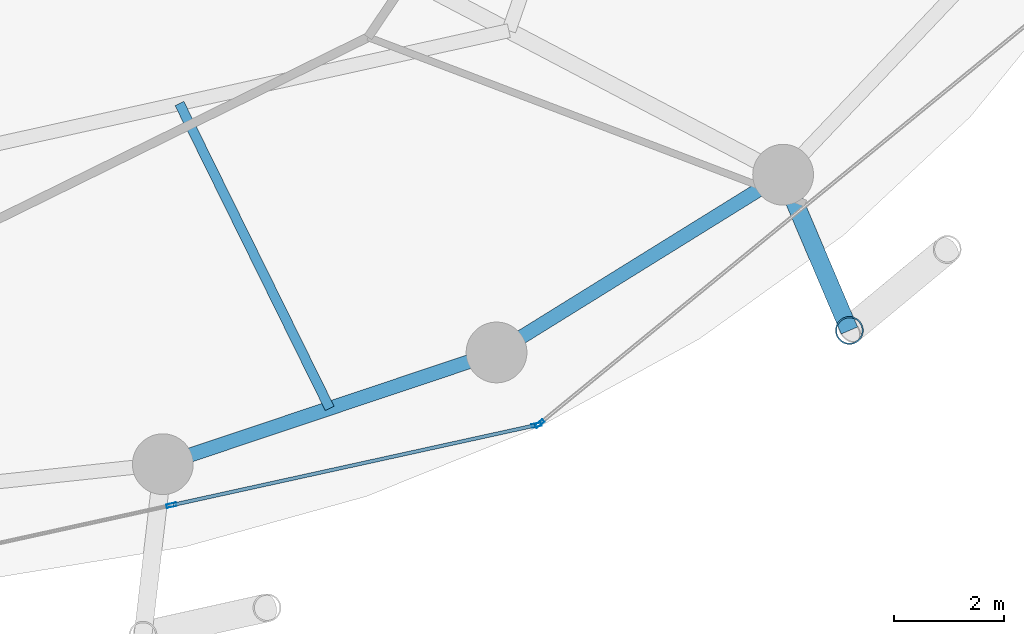
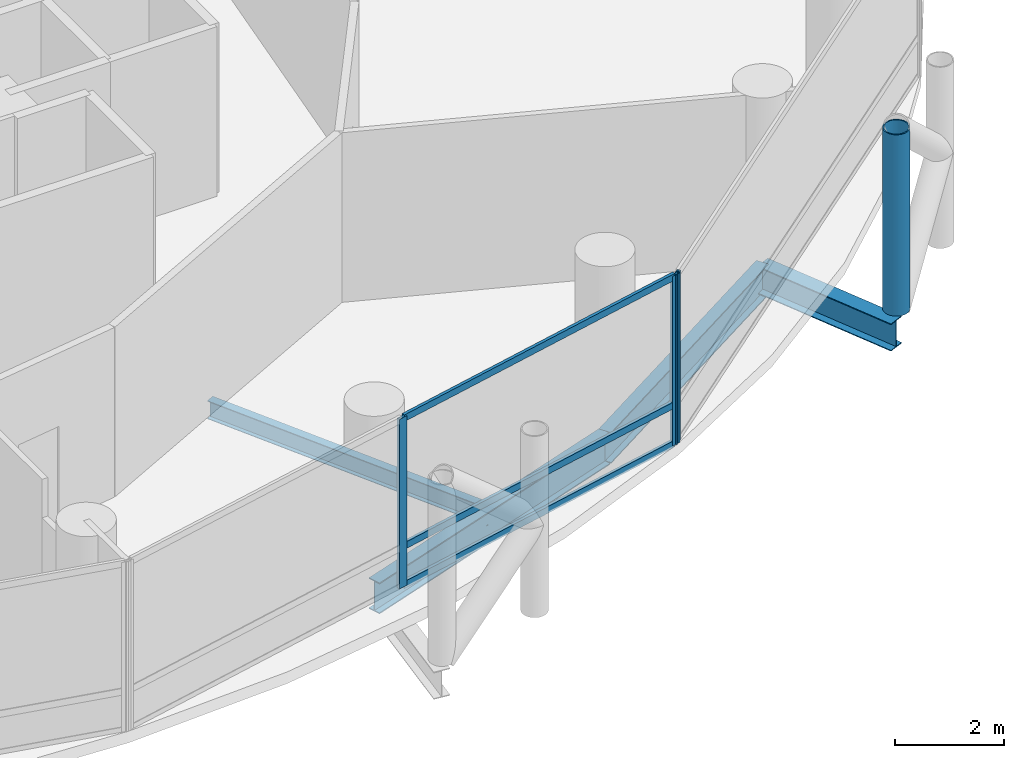
# One storey, part 8 of 25: 7 members, 4 beams, 2 elements without a shape of their own.
"""IFC4 building model written with IfcOpenShell, lengths in metres."""

from ifc_helpers import new_model, si_unit, direction, frame, origin, origin_2d, place, context, subcontext, project, spatial, hollow_rectangle, hollow_circle, i_section, extrude, material, layer, layer_set, material_profile, profile_set, type_object, element, aggregate, save


model = new_model("IFC4")

# Units and contexts
model_context = context("Model", 3, precision=1e-05, world=origin(), true_north=direction((0.0, 1.0)))
body_context = subcontext(model_context, "Body", "Model", "MODEL_VIEW")
ifc_project = project(units=[si_unit("LENGTHUNIT", "METRE"), si_unit("AREAUNIT", "SQUARE_METRE"), si_unit("VOLUMEUNIT", "CUBIC_METRE"), si_unit("PLANEANGLEUNIT", "RADIAN"), si_unit("MASSUNIT", "GRAM", prefix="KILO")], contexts=[model_context])

# Site, building, storey
site_placement = place(None, origin())
site = spatial("IfcSite", under=ifc_project, at=site_placement, CompositionType="ELEMENT")
building_placement = place(site_placement, origin())
building = spatial("IfcBuilding", under=site, at=building_placement, Name="Nuhasar Tower", CompositionType="ELEMENT")
storey_placement = place(building_placement, frame((0.0, 0.0, 45.300048828125)))
storey = spatial("IfcBuildingStorey", under=building, at=storey_placement, Name="L10", CompositionType="ELEMENT", Elevation=45.300048828125)

# Beams
ifc_material_1 = material(Name="Steel S355", Category="steel")
ifc_material_profile_1 = material_profile(ifc_material_1, i_section(OverallWidth=0.177978515625, OverallDepth=0.406005859375, WebThickness=0.0078125, FlangeThickness=0.0126953125, at=origin_2d()), Name="W16X40")
ifc_profile_set_1 = profile_set([ifc_material_profile_1], Name="Steel S355")
beam_type_1 = type_object("IfcBeamType", Name="BM-JST-W16X40", PredefinedType="JOIST", material=ifc_profile_set_1)
beam_1_placement = place(storey_placement, frame((45.783935546875, 13.77001953125, -0.463134765625), z_axis=(0.442126747458, -0.89695258469, 0.0), x_axis=(0.89695258469, 0.442126747458, 0.0)))
element("IfcBeam", 1, at=beam_1_placement, inside=storey, type_object=beam_type_1, Name="L10 Secondary Floor Joist 02", PredefinedType="JOIST", context=body_context, shape_type="SweptSolid", body=[
    extrude(i_section(OverallWidth=0.177978515625, OverallDepth=0.406005859375, WebThickness=0.0078125, FlangeThickness=0.0126953125, at=origin_2d()), origin(), (0.0, 0.0, 1.0), 6.152099609375),
])
ifc_material_profile_2 = material_profile(ifc_material_1, i_section(OverallWidth=0.256103515625, OverallDepth=0.693115234375, WebThickness=0.014404296875, FlangeThickness=0.023681640625, at=origin_2d()), Name="W27X114")
ifc_profile_set_2 = profile_set([ifc_material_profile_2], Name="Steel S355")
beam_type_2 = type_object("IfcBeamType", Name="BM-RING-W27X114", PredefinedType="SPANDREL", material=ifc_profile_set_2)
beam_2_placement = place(storey_placement, frame((45.48291015625, 7.239990234375, -0.60595703125), z_axis=(0.94826097201, 0.317491935271, 0.0), x_axis=(-0.317491935271, 0.94826097201, 0.0)))
element("IfcBeam", 2, at=beam_2_placement, inside=storey, type_object=beam_type_2, Name="L10 Perimeter Ring Spandrel 20", PredefinedType="SPANDREL", context=body_context, shape_type="SweptSolid", body=[
    extrude(i_section(OverallWidth=0.256103515625, OverallDepth=0.693115234375, WebThickness=0.014404296875, FlangeThickness=0.023681640625, at=origin_2d()), origin(), (0.0, 0.0, 1.0), 6.37158203125),
])
beam_3_placement = place(storey_placement, frame((51.52490234375, 9.262939453125, -0.60595703125), z_axis=(0.849795216549, 0.527112976439, 0.0), x_axis=(-0.527112976439, 0.849795216549, 0.0)))
element("IfcBeam", 3, at=beam_3_placement, inside=storey, type_object=beam_type_2, Name="L10 Perimeter Ring Spandrel 21", PredefinedType="SPANDREL", context=body_context, shape_type="SweptSolid", body=[
    extrude(i_section(OverallWidth=0.256103515625, OverallDepth=0.693115234375, WebThickness=0.014404296875, FlangeThickness=0.023681640625, at=origin_2d()), origin(), (0.0, 0.0, 1.0), 6.10498046875),
])
ifc_material_profile_3 = material_profile(ifc_material_1, i_section(OverallWidth=0.323974609375, OverallDepth=0.611083984375, WebThickness=0.0126953125, FlangeThickness=0.01904296875, at=origin_2d()), Name="W24X104")
ifc_profile_set_3 = profile_set([ifc_material_profile_3], Name="Steel S355")
beam_type_3 = type_object("IfcBeamType", Name="BM-TIE-W24X104", PredefinedType="BEAM", material=ifc_profile_set_3)
beam_4_placement = place(storey_placement, frame((56.712890625, 12.48095703125, -0.566162109375), z_axis=(0.391601084021, -0.920135093882, 0.0), x_axis=(0.920135093882, 0.391601084021, 0.0)))
element("IfcBeam", 4, at=beam_4_placement, inside=storey, type_object=beam_type_3, Name="L10 Exoskeleton Node Tie Beam 11", PredefinedType="BEAM", context=body_context, shape_type="SweptSolid", body=[
    extrude(i_section(OverallWidth=0.323974609375, OverallDepth=0.611083984375, WebThickness=0.0126953125, FlangeThickness=0.01904296875, at=origin_2d()), origin(), (0.0, 0.0, 1.0), 3.06494140625),
])

# Curtain wall, members
ifc_material_2 = material(Name="Aluminium 6063-T6", Category="aluminium")
ifc_layer = layer(ifc_material_2, 0.199951171875)
ifc_layer_set = layer_set([ifc_layer], Name="Aluminium 6063-T6")
curtain_wall_type = type_object("IfcCurtainWallType", Name="CW-Z1-OFF", PredefinedType="NOTDEFINED", material=ifc_layer_set)
curtain_wall_1_placement = place(storey_placement, origin())
curtain_wall_1 = element("IfcCurtainWall", 5, at=curtain_wall_1_placement, inside=storey, type_object=curtain_wall_type, Name="L10 Unitised Curtain Wall 10", PredefinedType="NOTDEFINED")
ifc_material_profile_4 = material_profile(ifc_material_2, hollow_rectangle(XDim=0.06494140625, YDim=0.179931640625, WallThickness=0.0048828125, at=origin_2d()), Name="CWM-2")
ifc_profile_set_4 = profile_set([ifc_material_profile_4], Name="Aluminium 6063-T6")
member_type_1 = type_object("IfcMemberType", Name="CW-MUL-S2", PredefinedType="MULLION", material=ifc_profile_set_4)
member_1_placement = place(storey_placement, frame((45.639892578125, 6.49755859375, 0.0), z_axis=(0.0, 0.0, 1.0), x_axis=(-0.214398737637, 0.976746221544, 0.0)))
member_1 = element("IfcMember", 6, at=member_1_placement, type_object=member_type_1, Name="CW-Z1 mullion 2", PredefinedType="MULLION", context=body_context, shape_type="SweptSolid", body=[
    extrude(hollow_rectangle(XDim=0.06494140625, YDim=0.179931640625, WallThickness=0.0048828125, at=origin_2d()), origin(), (0.0, 0.0, 1.0), 3.7900390625),
])
member_2_placement = place(storey_placement, frame((52.248291015625, 7.947998046875, 0.0), z_axis=(0.0, 0.0, 1.0), x_axis=(-0.214398737637, 0.976746221544, 0.0)))
member_2 = element("IfcMember", 7, at=member_2_placement, type_object=member_type_1, Name="CW-Z1 mullion 3", PredefinedType="MULLION", context=body_context, shape_type="SweptSolid", body=[
    extrude(hollow_rectangle(XDim=0.06494140625, YDim=0.179931640625, WallThickness=0.0048828125, at=origin_2d()), origin(), (0.0, 0.0, 1.0), 3.7900390625),
])

# Curtain wall, member
curtain_wall_2_placement = place(storey_placement, origin())
curtain_wall_2 = element("IfcCurtainWall", 8, at=curtain_wall_2_placement, inside=storey, type_object=curtain_wall_type, Name="L10 Unitised Curtain Wall 11", PredefinedType="NOTDEFINED")
member_3_placement = place(storey_placement, frame((52.30517578125, 7.9755859375, 0.0), z_axis=(0.0, 0.0, 1.0), x_axis=(-0.633744593376, 0.773542364946, 0.0)))
member_3 = element("IfcMember", 9, at=member_3_placement, type_object=member_type_1, Name="CW-Z1 mullion 1", PredefinedType="MULLION", context=body_context, shape_type="SweptSolid", body=[
    extrude(hollow_rectangle(XDim=0.06494140625, YDim=0.179931640625, WallThickness=0.0048828125, at=origin_2d()), origin(), (0.0, 0.0, 1.0), 3.7900390625),
])
aggregate(curtain_wall_2, [member_3])

# Member
ifc_material_profile_5 = material_profile(ifc_material_2, hollow_rectangle(XDim=0.06494140625, YDim=0.14990234375, WallThickness=0.00439453125, at=origin_2d()), Name="CWT-2")
ifc_profile_set_5 = profile_set([ifc_material_profile_5], Name="Aluminium 6063-T6")
member_type_2 = type_object("IfcMemberType", Name="CW-TRN-S2", PredefinedType="USERDEFINED", material=ifc_profile_set_5)
member_4_placement = place(storey_placement, frame((45.671630859375, 6.50439453125, 0.032470703125), z_axis=(0.976741923778, 0.214418316228, 0.0), x_axis=(-0.214418316228, 0.976741923778, 0.0)))
member_4 = element("IfcMember", 10, at=member_4_placement, type_object=member_type_2, Name="CW-Z1 transom 2.1", ObjectType="TRANSOM", PredefinedType="USERDEFINED", context=body_context, shape_type="SweptSolid", body=[
    extrude(hollow_rectangle(XDim=0.06494140625, YDim=0.14990234375, WallThickness=0.00439453125, at=origin_2d()), origin(), (0.0, 0.0, 1.0), 6.70068359375),
])

member_5_placement = place(storey_placement, frame((45.671630859375, 6.50439453125, 0.89990234375), z_axis=(0.976741923778, 0.214418316228, 0.0), x_axis=(-0.214418316228, 0.976741923778, 0.0)))
member_5 = element("IfcMember", 11, at=member_5_placement, type_object=member_type_2, Name="CW-Z1 transom 2.2", ObjectType="TRANSOM", PredefinedType="USERDEFINED", context=body_context, shape_type="SweptSolid", body=[
    extrude(hollow_rectangle(XDim=0.06494140625, YDim=0.14990234375, WallThickness=0.00439453125, at=origin_2d()), origin(), (0.0, 0.0, 1.0), 6.70068359375),
])

member_6_placement = place(storey_placement, frame((45.671630859375, 6.50439453125, 3.757568359375), z_axis=(0.976741923778, 0.214418316228, 0.0), x_axis=(-0.214418316228, 0.976741923778, 0.0)))
member_6 = element("IfcMember", 12, at=member_6_placement, type_object=member_type_2, Name="CW-Z1 transom 2.3", ObjectType="TRANSOM", PredefinedType="USERDEFINED", context=body_context, shape_type="SweptSolid", body=[
    extrude(hollow_rectangle(XDim=0.06494140625, YDim=0.14990234375, WallThickness=0.00439453125, at=origin_2d()), origin(), (0.0, 0.0, 1.0), 6.70068359375),
])

aggregate(curtain_wall_1, [member_1, member_2, member_4, member_5, member_6])

ifc_material_3 = material(Name="Steel S460", Category="steel")
ifc_material_profile_6 = material_profile(ifc_material_3, hollow_circle(Radius=0.25390625, WallThickness=0.025390625, at=origin_2d()), Name="HSS508X25.4")
ifc_profile_set_6 = profile_set([ifc_material_profile_6], Name="Steel S460")
member_type_3 = type_object("IfcMemberType", Name="EXO-BRONZE-508", PredefinedType="BRACE", material=ifc_profile_set_6)
member_7_placement = place(storey_placement, frame((57.9130859375, 9.660888671875, 0.0), z_axis=(0.0, 0.0, 1.0), x_axis=(1.0, 0.0, 0.0)))
element("IfcMember", 13, at=member_7_placement, inside=storey, type_object=member_type_3, Name="L10 Exoskeleton Chord Column EC-11A", PredefinedType="BRACE", context=body_context, shape_type="SweptSolid", body=[
    extrude(hollow_circle(Radius=0.25390625, WallThickness=0.025390625, at=origin_2d()), origin(), (0.0, 0.0, 1.0), 4.050048828125),
])

save(model, "model.ifc")
